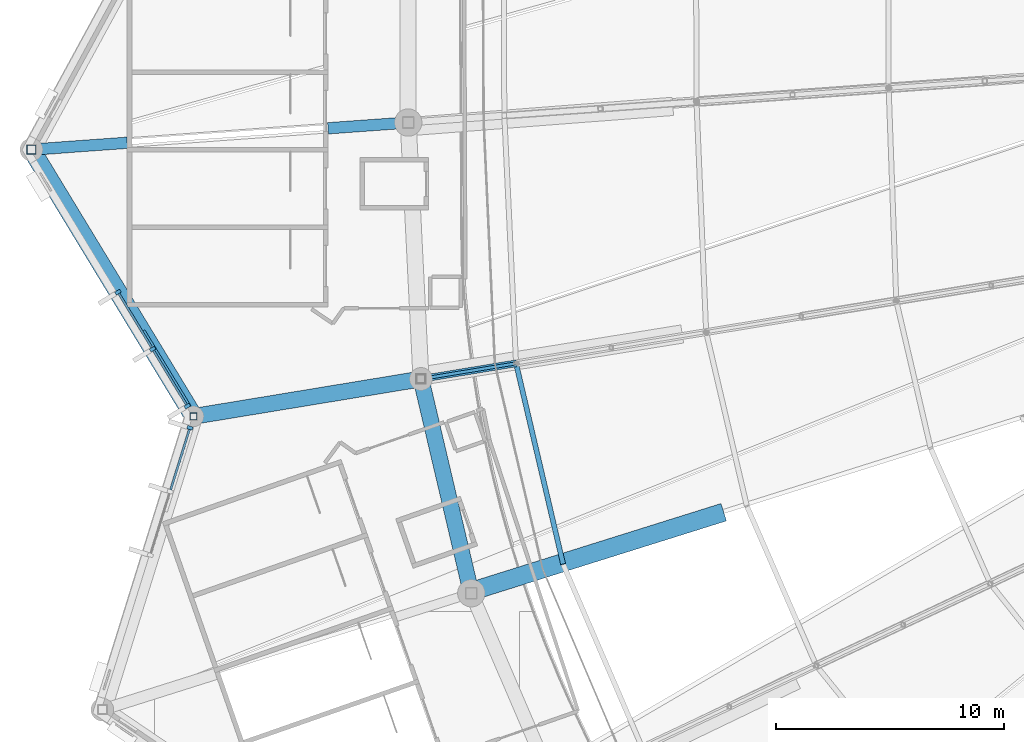
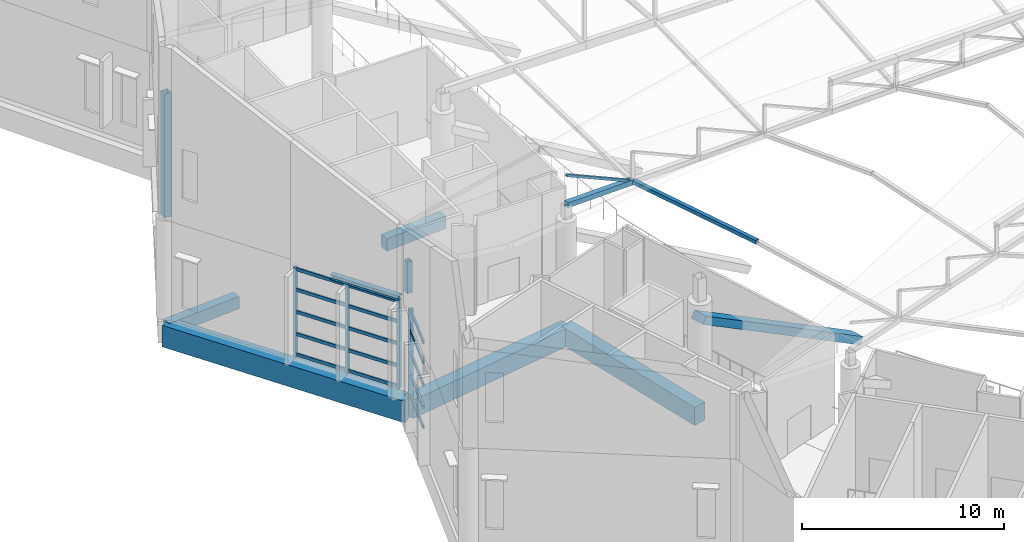
# One storey, part 16 of 344: 24 members, 7 beams, 2 elements without a shape of their own.
"""IFC4 building model written with IfcOpenShell, lengths in metres."""

from ifc_helpers import new_model, si_unit, direction, frame, origin, origin_2d, place, context, subcontext, project, spatial, rectangle, hollow_rectangle, i_section, extrude, material, layer, layer_set, material_profile, profile_set, type_object, element, aggregate, save


model = new_model("IFC4")

# Units and contexts
model_context = context("Model", 3, precision=1e-05, world=origin(), true_north=direction((0.0, 1.0)))
body_context = subcontext(model_context, "Body", "Model", "MODEL_VIEW")
ifc_project = project(units=[si_unit("LENGTHUNIT", "METRE"), si_unit("AREAUNIT", "SQUARE_METRE"), si_unit("VOLUMEUNIT", "CUBIC_METRE"), si_unit("PLANEANGLEUNIT", "RADIAN"), si_unit("MASSUNIT", "GRAM", prefix="KILO")], contexts=[model_context])

# Site, building, storey
site_placement = place(None, origin())
site = spatial("IfcSite", under=ifc_project, at=site_placement, CompositionType="ELEMENT")
building_placement = place(site_placement, origin())
building = spatial("IfcBuilding", under=site, at=building_placement, Name="Meseta Stadium", CompositionType="ELEMENT")
storey_placement = place(building_placement, frame((0.0, 0.0, 24.0)))
storey = spatial("IfcBuildingStorey", under=building, at=storey_placement, Name="L04", CompositionType="ELEMENT", Elevation=24.0)

# Beam
ifc_material_1 = material(Name="Steel S355", Category="steel")
ifc_material_profile_1 = material_profile(ifc_material_1, i_section(OverallWidth=0.300048828125, OverallDepth=0.300048828125, WebThickness=0.010986328125, FlangeThickness=0.01904296875, FilletRadius=0.027099609375, at=origin_2d()), Name="HEB 300")
ifc_profile_set_1 = profile_set([ifc_material_profile_1], Name="Steel S355")
beam_type_1 = type_object("IfcBeamType", Name="Atrium lintel beam HEB 300", PredefinedType="BEAM", material=ifc_profile_set_1)
beam_1_placement = place(storey_placement, frame((-94.52783203125, -55.057373046875, 5.5), z_axis=(-0.519384823856, 0.854540464079, 0.0), x_axis=(-0.854540464079, -0.519384823856, 0.0)))
element("IfcBeam", 1, at=beam_1_placement, inside=storey, type_object=beam_type_1, Name="Atrium lintel beam F36", PredefinedType="BEAM", context=body_context, shape_type="SweptSolid", body=[
    extrude(i_section(OverallWidth=0.300048828125, OverallDepth=0.300048828125, WebThickness=0.010986328125, FlangeThickness=0.01904296875, FilletRadius=0.027099609375, at=origin_2d()), origin(), (0.0, 0.0, 1.0), 3.900146484375),
])

# Curtain wall, members
ifc_material_2 = material(Name="Steel S355", Category="steel")
ifc_layer = layer(ifc_material_2, 0.300048828125)
ifc_layer_set = layer_set([ifc_layer], Name="Valley atrium curtain wall")
curtain_wall_type = type_object("IfcCurtainWallType", Name="Valley atrium curtain wall", PredefinedType="NOTDEFINED", material=ifc_layer_set)
curtain_wall_1_placement = place(storey_placement, origin())
curtain_wall_1 = element("IfcCurtainWall", 2, at=curtain_wall_1_placement, inside=storey, type_object=curtain_wall_type, Name="Valley atrium glazing F36", PredefinedType="NOTDEFINED")
ifc_material_3 = material(Name="Steel S355", Category="steel")
ifc_material_profile_2 = material_profile(ifc_material_3, rectangle(XDim=0.25, YDim=0.14990234375, at=origin_2d()), Name="CW 250x150")
ifc_profile_set_2 = profile_set([ifc_material_profile_2], Name="Steel S355")
member_type_1 = type_object("IfcMemberType", Name="CW mullion bar 250x150", PredefinedType="MULLION", material=ifc_profile_set_2)
member_1_placement = place(storey_placement, frame((-97.60498046875, -49.994140625, 0.0), z_axis=(0.0, 0.0, 1.0), x_axis=(0.854554231147, 0.519362172313, 0.0)))
member_1 = element("IfcMember", 3, at=member_1_placement, type_object=member_type_1, Name="CWA mullion 1", PredefinedType="MULLION", context=body_context, shape_type="SweptSolid", body=[
    extrude(rectangle(XDim=0.25, YDim=0.14990234375, at=origin_2d()), origin(), (0.0, 0.0, 1.0), 5.35009765625),
])
member_2_placement = place(storey_placement, frame((-96.0859375, -52.49365234375, 0.0), z_axis=(0.0, 0.0, 1.0), x_axis=(0.854554231147, 0.519362172313, 0.0)))
member_2 = element("IfcMember", 4, at=member_2_placement, type_object=member_type_1, Name="CWA mullion 2", PredefinedType="MULLION", context=body_context, shape_type="SweptSolid", body=[
    extrude(rectangle(XDim=0.25, YDim=0.14990234375, at=origin_2d()), origin(), (0.0, 0.0, 1.0), 5.35009765625),
])
member_3_placement = place(storey_placement, frame((-94.56689453125, -54.993408203125, 0.0), z_axis=(0.0, 0.0, 1.0), x_axis=(0.854554231147, 0.519362172313, 0.0)))
member_3 = element("IfcMember", 5, at=member_3_placement, type_object=member_type_1, Name="CWA mullion 3", PredefinedType="MULLION", context=body_context, shape_type="SweptSolid", body=[
    extrude(rectangle(XDim=0.25, YDim=0.14990234375, at=origin_2d()), origin(), (0.0, 0.0, 1.0), 5.35009765625),
])

# Curtain wall, member
curtain_wall_2_placement = place(storey_placement, origin())
curtain_wall_2 = element("IfcCurtainWall", 6, at=curtain_wall_2_placement, inside=storey, type_object=curtain_wall_type, Name="Valley atrium glazing F37", PredefinedType="NOTDEFINED")
member_4_placement = place(storey_placement, frame((-94.4501953125, -55.942626953125, 0.0), z_axis=(0.0, 0.0, 1.0), x_axis=(0.95491821847, -0.296868987995, 0.0)))
member_4 = element("IfcMember", 7, at=member_4_placement, type_object=member_type_1, Name="CWA mullion 1", PredefinedType="MULLION", context=body_context, shape_type="SweptSolid", body=[
    extrude(rectangle(XDim=0.25, YDim=0.14990234375, at=origin_2d()), origin(), (0.0, 0.0, 1.0), 5.35009765625),
])

# Member
ifc_material_4 = material(Name="Steel S355", Category="steel")
ifc_material_profile_3 = material_profile(ifc_material_4, hollow_rectangle(XDim=0.10009765625, YDim=0.199951171875, WallThickness=0.008056640625, at=origin_2d()), Name="RHS 200x100x8")
ifc_profile_set_3 = profile_set([ifc_material_profile_3], Name="Steel S355")
member_type_2 = type_object("IfcMemberType", Name="CW transom RHS 200x100x8", PredefinedType="USERDEFINED", material=ifc_profile_set_3)
member_5_placement = place(storey_placement, frame((-97.566162109375, -50.058349609375, 0.10009765625), z_axis=(0.519352311576, -0.854560224011, 0.0), x_axis=(0.854560224011, 0.519352311576, 0.0)))
member_5 = element("IfcMember", 8, at=member_5_placement, type_object=member_type_2, Name="CWA transom 1.1", ObjectType="TRANSOM", PredefinedType="USERDEFINED", context=body_context, shape_type="SweptSolid", body=[
    extrude(hollow_rectangle(XDim=0.10009765625, YDim=0.199951171875, WallThickness=0.008056640625, at=origin_2d()), origin(), (0.0, 0.0, 1.0), 2.77490234375),
])

member_6_placement = place(storey_placement, frame((-97.566162109375, -50.058349609375, 1.33740234375), z_axis=(0.519352311576, -0.854560224011, 0.0), x_axis=(0.854560224011, 0.519352311576, 0.0)))
member_6 = element("IfcMember", 9, at=member_6_placement, type_object=member_type_2, Name="CWA transom 1.2", ObjectType="TRANSOM", PredefinedType="USERDEFINED", context=body_context, shape_type="SweptSolid", body=[
    extrude(hollow_rectangle(XDim=0.10009765625, YDim=0.199951171875, WallThickness=0.008056640625, at=origin_2d()), origin(), (0.0, 0.0, 1.0), 2.77490234375),
])

member_7_placement = place(storey_placement, frame((-97.566162109375, -50.058349609375, 2.675048828125), z_axis=(0.519352311576, -0.854560224011, 0.0), x_axis=(0.854560224011, 0.519352311576, 0.0)))
member_7 = element("IfcMember", 10, at=member_7_placement, type_object=member_type_2, Name="CWA transom 1.3", ObjectType="TRANSOM", PredefinedType="USERDEFINED", context=body_context, shape_type="SweptSolid", body=[
    extrude(hollow_rectangle(XDim=0.10009765625, YDim=0.199951171875, WallThickness=0.008056640625, at=origin_2d()), origin(), (0.0, 0.0, 1.0), 2.77490234375),
])

member_8_placement = place(storey_placement, frame((-97.566162109375, -50.058349609375, 4.012451171875), z_axis=(0.519352311576, -0.854560224011, 0.0), x_axis=(0.854560224011, 0.519352311576, 0.0)))
member_8 = element("IfcMember", 11, at=member_8_placement, type_object=member_type_2, Name="CWA transom 1.4", ObjectType="TRANSOM", PredefinedType="USERDEFINED", context=body_context, shape_type="SweptSolid", body=[
    extrude(hollow_rectangle(XDim=0.10009765625, YDim=0.199951171875, WallThickness=0.008056640625, at=origin_2d()), origin(), (0.0, 0.0, 1.0), 2.77490234375),
])

member_9_placement = place(storey_placement, frame((-97.566162109375, -50.058349609375, 5.25), z_axis=(0.519352311576, -0.854560224011, 0.0), x_axis=(0.854560224011, 0.519352311576, 0.0)))
member_9 = element("IfcMember", 12, at=member_9_placement, type_object=member_type_2, Name="CWA transom 1.5", ObjectType="TRANSOM", PredefinedType="USERDEFINED", context=body_context, shape_type="SweptSolid", body=[
    extrude(hollow_rectangle(XDim=0.10009765625, YDim=0.199951171875, WallThickness=0.008056640625, at=origin_2d()), origin(), (0.0, 0.0, 1.0), 2.77490234375),
])

member_10_placement = place(storey_placement, frame((-96.046875, -52.557861328125, 0.10009765625), z_axis=(0.519352311576, -0.854560224011, 0.0), x_axis=(0.854560224011, 0.519352311576, 0.0)))
member_10 = element("IfcMember", 13, at=member_10_placement, type_object=member_type_2, Name="CWA transom 2.1", ObjectType="TRANSOM", PredefinedType="USERDEFINED", context=body_context, shape_type="SweptSolid", body=[
    extrude(hollow_rectangle(XDim=0.10009765625, YDim=0.199951171875, WallThickness=0.008056640625, at=origin_2d()), origin(), (0.0, 0.0, 1.0), 2.77490234375),
])

member_11_placement = place(storey_placement, frame((-96.046875, -52.557861328125, 1.33740234375), z_axis=(0.519352311576, -0.854560224011, 0.0), x_axis=(0.854560224011, 0.519352311576, 0.0)))
member_11 = element("IfcMember", 14, at=member_11_placement, type_object=member_type_2, Name="CWA transom 2.2", ObjectType="TRANSOM", PredefinedType="USERDEFINED", context=body_context, shape_type="SweptSolid", body=[
    extrude(hollow_rectangle(XDim=0.10009765625, YDim=0.199951171875, WallThickness=0.008056640625, at=origin_2d()), origin(), (0.0, 0.0, 1.0), 2.77490234375),
])

member_12_placement = place(storey_placement, frame((-96.046875, -52.557861328125, 2.675048828125), z_axis=(0.519352311576, -0.854560224011, 0.0), x_axis=(0.854560224011, 0.519352311576, 0.0)))
member_12 = element("IfcMember", 15, at=member_12_placement, type_object=member_type_2, Name="CWA transom 2.3", ObjectType="TRANSOM", PredefinedType="USERDEFINED", context=body_context, shape_type="SweptSolid", body=[
    extrude(hollow_rectangle(XDim=0.10009765625, YDim=0.199951171875, WallThickness=0.008056640625, at=origin_2d()), origin(), (0.0, 0.0, 1.0), 2.77490234375),
])

member_13_placement = place(storey_placement, frame((-96.046875, -52.557861328125, 4.012451171875), z_axis=(0.519352311576, -0.854560224011, 0.0), x_axis=(0.854560224011, 0.519352311576, 0.0)))
member_13 = element("IfcMember", 16, at=member_13_placement, type_object=member_type_2, Name="CWA transom 2.4", ObjectType="TRANSOM", PredefinedType="USERDEFINED", context=body_context, shape_type="SweptSolid", body=[
    extrude(hollow_rectangle(XDim=0.10009765625, YDim=0.199951171875, WallThickness=0.008056640625, at=origin_2d()), origin(), (0.0, 0.0, 1.0), 2.77490234375),
])

member_14_placement = place(storey_placement, frame((-96.046875, -52.557861328125, 5.25), z_axis=(0.519352311576, -0.854560224011, 0.0), x_axis=(0.854560224011, 0.519352311576, 0.0)))
member_14 = element("IfcMember", 17, at=member_14_placement, type_object=member_type_2, Name="CWA transom 2.5", ObjectType="TRANSOM", PredefinedType="USERDEFINED", context=body_context, shape_type="SweptSolid", body=[
    extrude(hollow_rectangle(XDim=0.10009765625, YDim=0.199951171875, WallThickness=0.008056640625, at=origin_2d()), origin(), (0.0, 0.0, 1.0), 2.77490234375),
])

aggregate(curtain_wall_1, [member_1, member_2, member_3, member_5, member_6, member_7, member_8, member_9, member_10, member_11, member_12, member_13, member_14])

member_15_placement = place(storey_placement, frame((-94.472412109375, -56.014404296875, 0.10009765625), z_axis=(-0.296922165657, -0.954901684752, 0.0), x_axis=(0.954901684752, -0.296922165657, 0.0)))
member_15 = element("IfcMember", 18, at=member_15_placement, type_object=member_type_2, Name="CWA transom 1.1", ObjectType="TRANSOM", PredefinedType="USERDEFINED", context=body_context, shape_type="SweptSolid", body=[
    extrude(hollow_rectangle(XDim=0.10009765625, YDim=0.199951171875, WallThickness=0.008056640625, at=origin_2d()), origin(), (0.0, 0.0, 1.0), 2.775146484375),
])

member_16_placement = place(storey_placement, frame((-94.472412109375, -56.014404296875, 1.33740234375), z_axis=(-0.296922165657, -0.954901684752, 0.0), x_axis=(0.954901684752, -0.296922165657, 0.0)))
member_16 = element("IfcMember", 19, at=member_16_placement, type_object=member_type_2, Name="CWA transom 1.2", ObjectType="TRANSOM", PredefinedType="USERDEFINED", context=body_context, shape_type="SweptSolid", body=[
    extrude(hollow_rectangle(XDim=0.10009765625, YDim=0.199951171875, WallThickness=0.008056640625, at=origin_2d()), origin(), (0.0, 0.0, 1.0), 2.775146484375),
])

member_17_placement = place(storey_placement, frame((-94.472412109375, -56.014404296875, 2.675048828125), z_axis=(-0.296922165657, -0.954901684752, 0.0), x_axis=(0.954901684752, -0.296922165657, 0.0)))
member_17 = element("IfcMember", 20, at=member_17_placement, type_object=member_type_2, Name="CWA transom 1.3", ObjectType="TRANSOM", PredefinedType="USERDEFINED", context=body_context, shape_type="SweptSolid", body=[
    extrude(hollow_rectangle(XDim=0.10009765625, YDim=0.199951171875, WallThickness=0.008056640625, at=origin_2d()), origin(), (0.0, 0.0, 1.0), 2.775146484375),
])

member_18_placement = place(storey_placement, frame((-94.472412109375, -56.014404296875, 4.012451171875), z_axis=(-0.296922165657, -0.954901684752, 0.0), x_axis=(0.954901684752, -0.296922165657, 0.0)))
member_18 = element("IfcMember", 21, at=member_18_placement, type_object=member_type_2, Name="CWA transom 1.4", ObjectType="TRANSOM", PredefinedType="USERDEFINED", context=body_context, shape_type="SweptSolid", body=[
    extrude(hollow_rectangle(XDim=0.10009765625, YDim=0.199951171875, WallThickness=0.008056640625, at=origin_2d()), origin(), (0.0, 0.0, 1.0), 2.775146484375),
])

member_19_placement = place(storey_placement, frame((-94.472412109375, -56.014404296875, 5.25), z_axis=(-0.296922165657, -0.954901684752, 0.0), x_axis=(0.954901684752, -0.296922165657, 0.0)))
member_19 = element("IfcMember", 22, at=member_19_placement, type_object=member_type_2, Name="CWA transom 1.5", ObjectType="TRANSOM", PredefinedType="USERDEFINED", context=body_context, shape_type="SweptSolid", body=[
    extrude(hollow_rectangle(XDim=0.10009765625, YDim=0.199951171875, WallThickness=0.008056640625, at=origin_2d()), origin(), (0.0, 0.0, 1.0), 2.775146484375),
])

aggregate(curtain_wall_2, [member_4, member_15, member_16, member_17, member_18, member_19])

# Beams
ifc_material_5 = material(Name="Concrete C40/50", Category="concrete")
ifc_material_profile_4 = material_profile(ifc_material_5, rectangle(XDim=0.5, YDim=0.75, at=origin_2d()), Name="RC 500x750")
ifc_profile_set_4 = profile_set([ifc_material_profile_4], Name="Concrete C40/50")
beam_type_2 = type_object("IfcBeamType", Name="RC beam 500x750", PredefinedType="BEAM", material=ifc_profile_set_4)
beam_2_placement = place(storey_placement, frame((-84.884033203125, -42.5615234375, -0.77490234375), z_axis=(-0.997422358581, -0.071754014547, 0.0), x_axis=(0.071754014547, -0.997422358581, 0.0)))
element("IfcBeam", 23, at=beam_2_placement, inside=storey, type_object=beam_type_2, Name="L04 radial beam frame 36 line P to R", PredefinedType="BEAM", context=body_context, shape_type="SweptSolid", body=[
    extrude(rectangle(XDim=0.5, YDim=0.75, at=origin_2d()), origin(), (0.0, 0.0, 1.0), 3.52490234375),
])
beam_3_placement = place(storey_placement, frame((-97.199951171875, -43.44775390625, -0.77490234375), z_axis=(-0.997420591967, -0.071778567276, 0.0), x_axis=(0.071778567276, -0.997420591967, 0.0)))
element("IfcBeam", 24, at=beam_3_placement, inside=storey, type_object=beam_type_2, Name="L04 radial beam frame 36 line P to R", PredefinedType="BEAM", context=body_context, shape_type="SweptSolid", body=[
    extrude(rectangle(XDim=0.5, YDim=0.75, at=origin_2d()), origin(), (0.0, 0.0, 1.0), 4.210693359375),
])
ifc_material_6 = material(Name="Concrete C40/50", Category="concrete")
ifc_material_profile_5 = material_profile(ifc_material_6, rectangle(XDim=0.699951171875, YDim=1.10009765625, at=origin_2d()), Name="RC 700x1100")
ifc_profile_set_5 = profile_set([ifc_material_profile_5], Name="Concrete C40/50")
beam_type_3 = type_object("IfcBeamType", Name="RC beam 700x1100", PredefinedType="BEAM", material=ifc_profile_set_5)
beam_4_placement = place(storey_placement, frame((-84.3251953125, -53.801513671875, -0.949951171875), z_axis=(0.228645688533, -0.973509706739, 0.0), x_axis=(0.973509706739, 0.228645688533, 0.0)))
element("IfcBeam", 25, at=beam_4_placement, inside=storey, type_object=beam_type_3, Name="L04 ring beam frame 37 line P", PredefinedType="BEAM", context=body_context, shape_type="SweptSolid", body=[
    extrude(rectangle(XDim=0.699951171875, YDim=1.10009765625, at=origin_2d()), origin(), (0.0, 0.0, 1.0), 9.645263671875),
])
beam_5_placement = place(storey_placement, frame((-84.3251953125, -53.801513671875, -0.949951171875), z_axis=(-0.986739169318, -0.162313929576, 0.0), x_axis=(0.162313929576, -0.986739169318, 0.0)))
element("IfcBeam", 26, at=beam_5_placement, inside=storey, type_object=beam_type_3, Name="L04 radial beam frame 37 line P to R", PredefinedType="BEAM", context=body_context, shape_type="SweptSolid", body=[
    extrude(rectangle(XDim=0.699951171875, YDim=1.10009765625, at=origin_2d()), origin(), (0.0, 0.0, 1.0), 10.103271484375),
])
ifc_material_7 = material(Name="Concrete C40/50", Category="concrete")
ifc_material_profile_6 = material_profile(ifc_material_7, rectangle(XDim=0.800048828125, YDim=1.300048828125, at=origin_2d()), Name="RC 800x1300")
ifc_profile_set_6 = profile_set([ifc_material_profile_6], Name="Concrete C40/50")
beam_type_4 = type_object("IfcBeamType", Name="RC beam 800x1300", PredefinedType="BEAM", material=ifc_profile_set_6)
beam_6_placement = place(storey_placement, frame((-101.39990234375, -43.75, -1.050048828125), z_axis=(0.519358064651, -0.854556727598, 0.0), x_axis=(0.854556727598, 0.519358064651, 0.0)))
element("IfcBeam", 27, at=beam_6_placement, inside=storey, type_object=beam_type_4, Name="L04 ring beam frame 36 line R", PredefinedType="BEAM", context=body_context, shape_type="SweptSolid", body=[
    extrude(rectangle(XDim=0.800048828125, YDim=1.300048828125, at=origin_2d()), origin(), (0.0, 0.0, 1.0), 13.68115234375),
])
ifc_material_8 = material(Name="Concrete C40/50", Category="concrete")
ifc_material_profile_7 = material_profile(ifc_material_8, rectangle(XDim=0.800048828125, YDim=0.449951171875, at=origin_2d()), Name="RC 800x450")
ifc_profile_set_7 = profile_set([ifc_material_profile_7], Name="Concrete C40/50")
beam_type_5 = type_object("IfcBeamType", Name="RC raker upper rear 800x450", PredefinedType="USERDEFINED", material=ifc_profile_set_7)
beam_7_placement = place(storey_placement, frame((-71.169677734375, -59.67724609375, -2.31787109375), z_axis=(-0.809741444929, -0.253874039245, 0.529024351577), x_axis=(0.299165745615, -0.954201161522, 0.0)))
element("IfcBeam", 28, at=beam_7_placement, inside=storey, type_object=beam_type_5, Name="Raker upper rear frame 38 upper tier", ObjectType="RAKER", PredefinedType="USERDEFINED", context=body_context, shape_type="SweptSolid", body=[
    extrude(rectangle(XDim=0.800048828125, YDim=0.449951171875, at=origin_2d()), origin(), (0.0, 0.0, 1.0), 13.5517578125),
])

# Members
ifc_material_9 = material(Name="Steel S355", Category="steel")
ifc_material_profile_8 = material_profile(ifc_material_9, hollow_rectangle(XDim=0.139892578125, YDim=0.139892578125, WallThickness=0.0048828125, at=origin_2d()), Name="SHS 140x140x5")
ifc_profile_set_8 = profile_set([ifc_material_profile_8], Name="Steel S355")
member_type_3 = type_object("IfcMemberType", Name="SHS 140x140x5 diagonal", PredefinedType="BRACE", material=ifc_profile_set_8)
member_20_placement = place(storey_placement, frame((-80.158935546875, -53.1162109375, 6.337158203125), z_axis=(-0.873398123495, -0.143664139036, 0.465334646283), x_axis=(0.162307632911, -0.986740205069, 0.0)))
element("IfcMember", 29, at=member_20_placement, inside=storey, type_object=member_type_3, Name="ROOF TRUSS RT-37 diagonal", PredefinedType="BRACE", context=body_context, shape_type="SweptSolid", body=[
    extrude(hollow_rectangle(XDim=0.139892578125, YDim=0.139892578125, WallThickness=0.0048828125, at=origin_2d()), origin(), (0.0, 0.0, 1.0), 4.770263671875),
])
ifc_material_10 = material(Name="Steel S355", Category="steel")
ifc_material_profile_9 = material_profile(ifc_material_10, hollow_rectangle(XDim=0.219970703125, YDim=0.219970703125, WallThickness=0.008056640625, at=origin_2d()), Name="SHS 220x220x8")
ifc_profile_set_9 = profile_set([ifc_material_profile_9], Name="Steel S355")
member_type_4 = type_object("IfcMemberType", Name="SHS 220x220x8 strut", PredefinedType="STRUT", material=ifc_profile_set_9)
member_21_placement = place(storey_placement, frame((-80.158935546875, -53.1162109375, 6.337158203125), z_axis=(0.227189562778, -0.968375370425, 0.103121503672), x_axis=(0.973565676161, 0.228407255139, 0.0)))
element("IfcMember", 30, at=member_21_placement, inside=storey, type_object=member_type_4, Name="ROOF TRUSS STRUT RT-37/38", PredefinedType="STRUT", context=body_context, shape_type="SweptSolid", body=[
    extrude(hollow_rectangle(XDim=0.219970703125, YDim=0.219970703125, WallThickness=0.008056640625, at=origin_2d()), origin(), (0.0, 0.0, 1.0), 9.09130859375),
])
ifc_material_11 = material(Name="Steel S355", Category="steel")
ifc_material_profile_10 = material_profile(ifc_material_11, hollow_rectangle(XDim=0.300048828125, YDim=0.300048828125, WallThickness=0.010009765625, at=origin_2d()), Name="SHS 300x300x10")
ifc_profile_set_10 = profile_set([ifc_material_profile_10], Name="Steel S355")
member_type_5 = type_object("IfcMemberType", Name="SHS 300x300x10 bottom chord", PredefinedType="CHORD", material=ifc_profile_set_10)
member_22_placement = place(storey_placement, frame((-80.158935546875, -53.1162109375, 6.337158203125), z_axis=(-0.980863294148, -0.161340947358, 0.108978424008), x_axis=(0.162307632911, -0.986740205069, 0.0)))
element("IfcMember", 31, at=member_22_placement, inside=storey, type_object=member_type_5, Name="ROOF TRUSS RT-37 bottom chord", PredefinedType="CHORD", context=body_context, shape_type="SweptSolid", body=[
    extrude(hollow_rectangle(XDim=0.300048828125, YDim=0.300048828125, WallThickness=0.010009765625, at=origin_2d()), origin(), (0.0, 0.0, 1.0), 4.24755859375),
])
ifc_material_12 = material(Name="Steel S355", Category="steel")
ifc_material_profile_11 = material_profile(ifc_material_12, hollow_rectangle(XDim=0.300048828125, YDim=0.300048828125, WallThickness=0.010009765625, at=origin_2d()), Name="SHS 300x300x10")
ifc_profile_set_11 = profile_set([ifc_material_profile_11], Name="Steel S355")
member_type_6 = type_object("IfcMemberType", Name="SHS 300x300x10 rim post", PredefinedType="POST", material=ifc_profile_set_11)
member_23_placement = place(storey_placement, frame((-94.29443359375, -55.44140625, 6.0), z_axis=(0.0, 0.0, 1.0), x_axis=(1.0, 0.0, 0.0)))
element("IfcMember", 32, at=member_23_placement, inside=storey, type_object=member_type_6, Name="ROOF RIM POST RT-37", PredefinedType="POST", context=body_context, shape_type="SweptSolid", body=[
    extrude(hollow_rectangle(XDim=0.300048828125, YDim=0.300048828125, WallThickness=0.010009765625, at=origin_2d()), origin(), (0.0, 0.0, 1.0), 1.907470703125),
])
ifc_material_13 = material(Name="Steel S355", Category="steel")
ifc_material_profile_12 = material_profile(ifc_material_13, hollow_rectangle(XDim=0.39990234375, YDim=0.39990234375, WallThickness=0.01416015625, at=origin_2d()), Name="SHS 400x400x14.2")
ifc_profile_set_12 = profile_set([ifc_material_profile_12], Name="Steel S355")
member_type_7 = type_object("IfcMemberType", Name="SHS 400x400x14.2 rim post", PredefinedType="POST", material=ifc_profile_set_12)
member_24_placement = place(storey_placement, frame((-101.39990234375, -43.75, 6.0), z_axis=(0.0, 0.0, 1.0), x_axis=(1.0, 0.0, 0.0)))
element("IfcMember", 33, at=member_24_placement, inside=storey, type_object=member_type_7, Name="ROOF RIM POST RT-36", PredefinedType="POST", context=body_context, shape_type="SweptSolid", body=[
    extrude(hollow_rectangle(XDim=0.39990234375, YDim=0.39990234375, WallThickness=0.01416015625, at=origin_2d()), origin(), (0.0, 0.0, 1.0), 7.4970703125),
])

save(model, "model.ifc")
